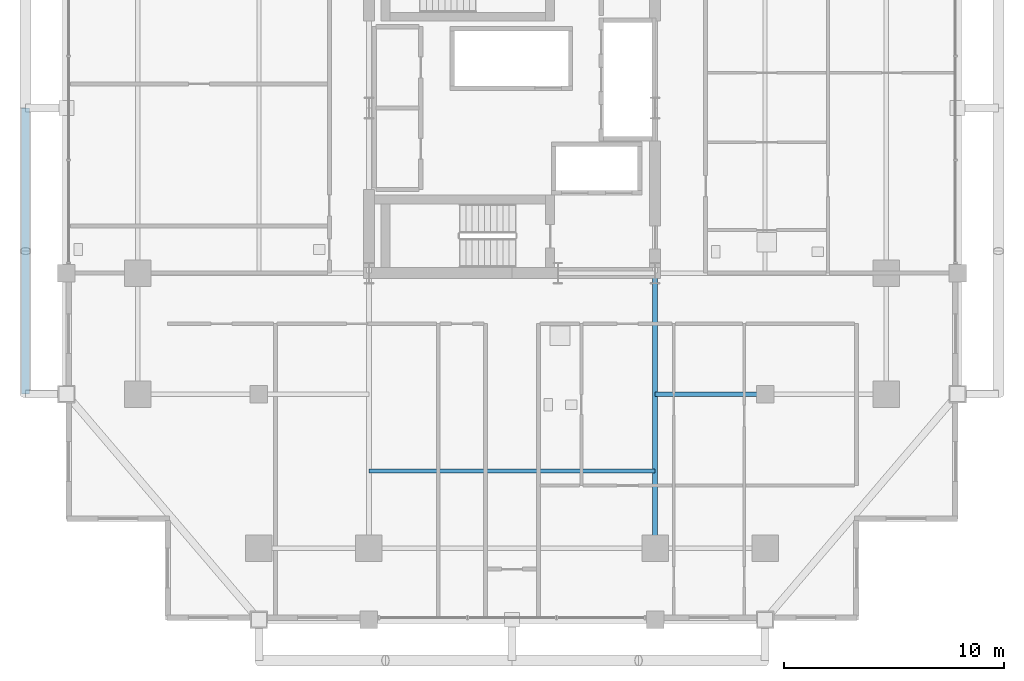
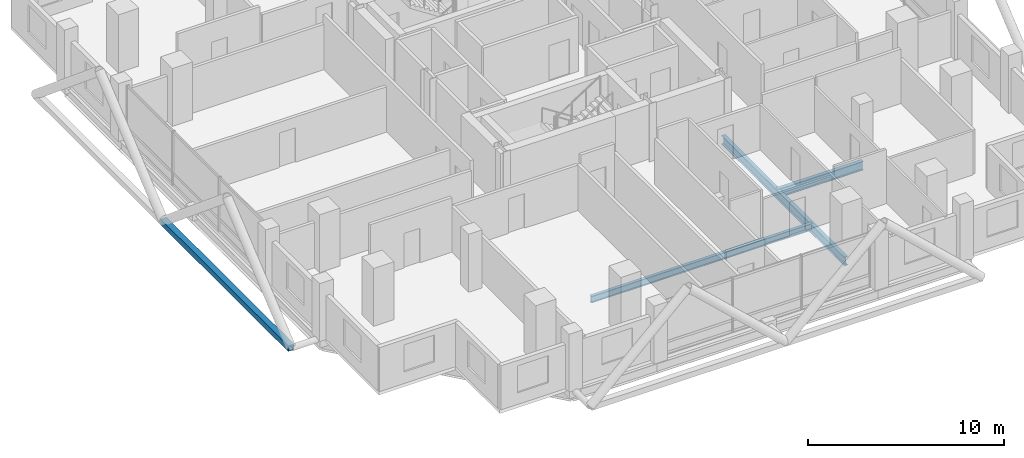
# One storey, part 4 of 24: 3 beams, 1 member.
"""IFC4 building model written with IfcOpenShell, lengths in metres."""

from ifc_helpers import new_model, si_unit, direction, frame, origin, origin_2d, place, context, subcontext, project, spatial, hollow_rectangle, i_section, extrude, material, material_profile, profile_set, type_object, element, save


model = new_model("IFC4")

# Units and contexts
model_context = context("Model", 3, precision=1e-05, world=origin(), true_north=direction((0.0, 1.0)))
body_context = subcontext(model_context, "Body", "Model", "MODEL_VIEW")
ifc_project = project(units=[si_unit("LENGTHUNIT", "METRE"), si_unit("AREAUNIT", "SQUARE_METRE"), si_unit("VOLUMEUNIT", "CUBIC_METRE"), si_unit("PLANEANGLEUNIT", "RADIAN"), si_unit("MASSUNIT", "GRAM", prefix="KILO")], contexts=[model_context])

# Site, building, storey
site_placement = place(None, origin())
site = spatial("IfcSite", under=ifc_project, at=site_placement, CompositionType="ELEMENT")
building_placement = place(site_placement, origin())
building = spatial("IfcBuilding", under=site, at=building_placement, Name="Barlavira Tower and Art Museum", CompositionType="ELEMENT")
storey_placement = place(building_placement, frame((0.0, 0.0, 154.800048828125)))
storey = spatial("IfcBuildingStorey", under=building, at=storey_placement, Name="L39", CompositionType="ELEMENT", Elevation=154.800048828125)

# Member
ifc_material = material(Name="Steel S355", Category="steel")
ifc_material_profile_1 = material_profile(ifc_material, hollow_rectangle(XDim=0.35009765625, YDim=0.35009765625, WallThickness=0.02001953125, at=origin_2d()), Name="SHS 350x350x20.0")
ifc_profile_set_1 = profile_set([ifc_material_profile_1], Name="Steel S355")
member_type = type_object("IfcMemberType", Name="Pale-Metal Exoskeleton Ring Strut SHS 350x350x20 Steel S355", PredefinedType="STRUT", material=ifc_profile_set_1)
member_placement = place(storey_placement, frame((-22.10009765625, -13.0, -0.1201171875), z_axis=(0.0, 1.0, 0.0), x_axis=(-1.0, 0.0, 0.0)))
element("IfcMember", 1, at=member_placement, inside=storey, type_object=member_type, Name="L39 Exoskeleton Ring Strut W", PredefinedType="STRUT", context=body_context, shape_type="SweptSolid", body=[
    extrude(hollow_rectangle(XDim=0.35009765625, YDim=0.35009765625, WallThickness=0.02001953125, at=origin_2d()), origin(), (0.0, 0.0, 1.0), 13.0),
])

# Beams
ifc_material_profile_2 = material_profile(ifc_material, i_section(OverallWidth=0.214111328125, OverallDepth=0.549072265625, WebThickness=0.0146484375, FlangeThickness=0.023681640625, at=origin_2d()), Name="W530x138.0")
ifc_profile_set_2 = profile_set([ifc_material_profile_2], Name="Steel S355")
beam_type_1 = type_object("IfcBeamType", Name="Zone 1 Primary Floor Girder W530x138 Steel S355", PredefinedType="BEAM", material=ifc_profile_set_2)
beam_1_placement = place(storey_placement, frame((6.5, -20.0, -0.49462890625), z_axis=(0.0, 1.0, 0.0), x_axis=(-1.0, 0.0, 0.0)))
element("IfcBeam", 2, at=beam_1_placement, inside=storey, type_object=beam_type_1, Name="L39 Girder R-S2", PredefinedType="BEAM", context=body_context, shape_type="SweptSolid", body=[
    extrude(i_section(OverallWidth=0.214111328125, OverallDepth=0.549072265625, WebThickness=0.0146484375, FlangeThickness=0.023681640625, at=origin_2d()), origin(), (0.0, 0.0, 1.0), 12.5),
])
beam_2_placement = place(storey_placement, frame((6.5, -13.0, -0.49462890625), z_axis=(1.0, 0.0, 0.0), x_axis=(0.0, 1.0, 0.0)))
element("IfcBeam", 3, at=beam_2_placement, inside=storey, type_object=beam_type_1, Name="L39 Girder I-S3", PredefinedType="BEAM", context=body_context, shape_type="SweptSolid", body=[
    extrude(i_section(OverallWidth=0.214111328125, OverallDepth=0.549072265625, WebThickness=0.0146484375, FlangeThickness=0.023681640625, at=origin_2d()), origin(), (0.0, 0.0, 1.0), 5.0),
])
ifc_material_profile_3 = material_profile(ifc_material, i_section(OverallWidth=0.179931640625, OverallDepth=0.4130859375, WebThickness=0.009765625, FlangeThickness=0.01611328125, at=origin_2d()), Name="W410x75.0")
ifc_profile_set_3 = profile_set([ifc_material_profile_3], Name="Steel S355")
beam_type_2 = type_object("IfcBeamType", Name="Zone 2 Composite Floor Joist W410x75 Steel S355", PredefinedType="JOIST", material=ifc_profile_set_3)
beam_3_placement = place(storey_placement, frame((-6.5, -16.5, -0.426513671875), z_axis=(1.0, 0.0, 0.0), x_axis=(0.0, 1.0, 0.0)))
element("IfcBeam", 4, at=beam_3_placement, inside=storey, type_object=beam_type_2, Name="L39 Joist C1", PredefinedType="JOIST", context=body_context, shape_type="SweptSolid", body=[
    extrude(i_section(OverallWidth=0.179931640625, OverallDepth=0.4130859375, WebThickness=0.009765625, FlangeThickness=0.01611328125, at=origin_2d()), origin(), (0.0, 0.0, 1.0), 13.0),
])

save(model, "model.ifc")
